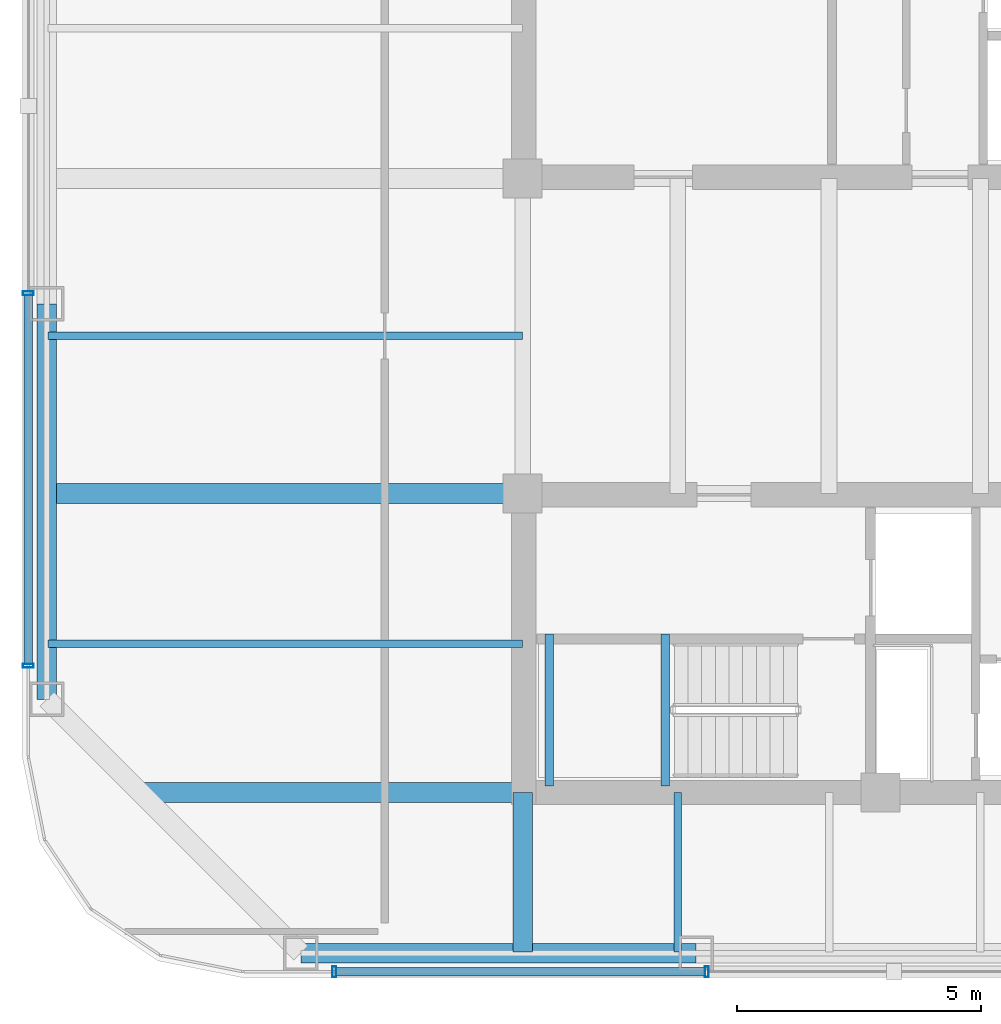
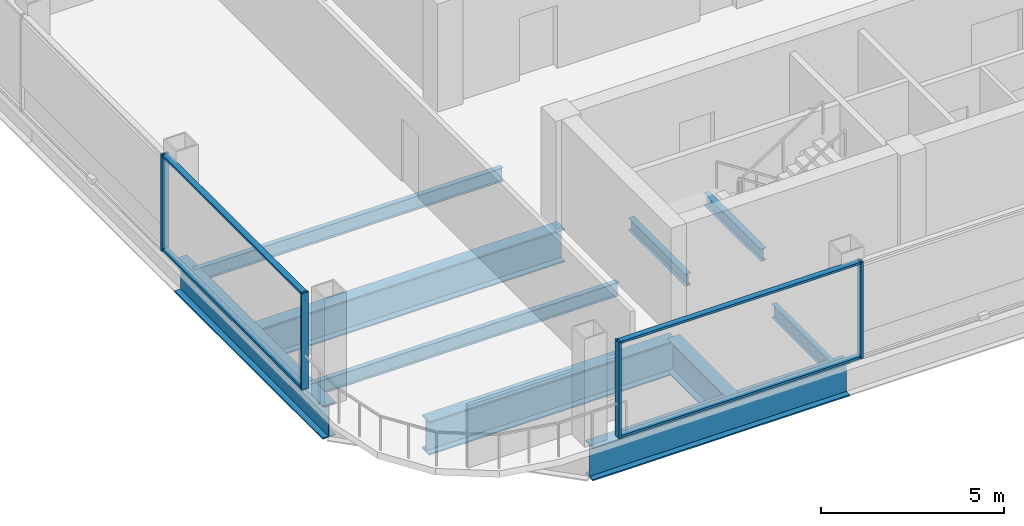
# One storey, part 2 of 19: 10 beams, 8 members, 2 elements without a shape of their own.
"""IFC4 building model written with IfcOpenShell, lengths in metres."""

from ifc_helpers import new_model, si_unit, direction, frame, origin, origin_2d, place, context, subcontext, project, spatial, hollow_rectangle, i_section, extrude, material, layer, layer_set, material_profile, profile_set, type_object, element, aggregate, save


model = new_model("IFC4")

# Units and contexts
model_context = context("Model", 3, precision=1e-05, world=origin(), true_north=direction((0.0, 1.0)))
body_context = subcontext(model_context, "Body", "Model", "MODEL_VIEW")
ifc_project = project(units=[si_unit("LENGTHUNIT", "METRE"), si_unit("AREAUNIT", "SQUARE_METRE"), si_unit("VOLUMEUNIT", "CUBIC_METRE"), si_unit("PLANEANGLEUNIT", "RADIAN"), si_unit("MASSUNIT", "GRAM", prefix="KILO")], contexts=[model_context])

# Site, building, storey
site_placement = place(None, origin())
site = spatial("IfcSite", under=ifc_project, at=site_placement, CompositionType="ELEMENT")
building_placement = place(site_placement, origin())
building = spatial("IfcBuilding", under=site, at=building_placement, Name="Qhalaya Broadcast Tower", CompositionType="ELEMENT")
storey_placement = place(building_placement, frame((0.0, 0.0, 148.199951171875)))
storey = spatial("IfcBuildingStorey", under=building, at=storey_placement, Name="L43", CompositionType="ELEMENT", Elevation=148.199951171875)

# Beams
ifc_material_1 = material(Name="Structural Steel ASTM A992 Grade 50", Category="steel")
ifc_material_profile_1 = material_profile(ifc_material_1, i_section(OverallWidth=0.154052734375, OverallDepth=0.458984375, WebThickness=0.009033203125, FlangeThickness=0.015380859375, at=origin_2d()), Name="W18X46")
ifc_profile_set_1 = profile_set([ifc_material_profile_1], Name="Structural Steel ASTM A992 Grade 50")
beam_type_1 = type_object("IfcBeamType", Name="Composite Floor Joist J04", PredefinedType="JOIST", material=ifc_profile_set_1)
beam_1_placement = place(storey_placement, frame((-6.199951171875, -12.02001953125, -0.449462890625), z_axis=(0.0, 1.0, 0.0), x_axis=(-1.0, 0.0, 0.0)))
element("IfcBeam", 1, at=beam_1_placement, inside=storey, type_object=beam_type_1, Name="L43 J04 L43-JNS1-1", PredefinedType="JOIST", context=body_context, shape_type="SweptSolid", body=[
    extrude(i_section(OverallWidth=0.154052734375, OverallDepth=0.458984375, WebThickness=0.009033203125, FlangeThickness=0.015380859375, at=origin_2d()), origin(), (0.0, 0.0, 1.0), 3.27001953125),
])
for number, where, z_axis, x_axis, name in (
    (2, (-19.10009765625, -5.699951171875, -0.449462890625), (1.0, 0.0, 0.0), (0.0, 1.0, 0.0), "L43 J04 L43-JWE3W-1"),
    (3, (-19.10009765625, 0.60009765625, -0.449462890625), (1.0, 0.0, 0.0), (0.0, 1.0, 0.0), "L43 J04 L43-JWE4W-1"),
):
    element("IfcBeam", number, at=place(storey_placement, frame(where, z_axis=z_axis, x_axis=x_axis)), inside=storey, type_object=beam_type_1, Name=name, PredefinedType="JOIST", context=body_context, shape_type="SweptSolid", body=[
        extrude(i_section(OverallWidth=0.154052734375, OverallDepth=0.458984375, WebThickness=0.009033203125, FlangeThickness=0.015380859375, at=origin_2d()), origin(), (0.0, 0.0, 1.0), 9.72509765625),
    ])
ifc_material_profile_2 = material_profile(ifc_material_1, i_section(OverallWidth=0.404052734375, OverallDepth=1.117919921875, WebThickness=0.026123046875, FlangeThickness=0.044921875, at=origin_2d()), Name="W44X335")
ifc_profile_set_2 = profile_set([ifc_material_profile_2], Name="Structural Steel ASTM A992 Grade 50")
beam_type_2 = type_object("IfcBeamType", Name="Podium Long-Span Primary Girder PG1", PredefinedType="USERDEFINED", material=ifc_profile_set_2)
beam_2_placement = place(storey_placement, frame((-13.919921875, -12.0400390625, -0.779052734375), z_axis=(1.0, 0.0, 0.0), x_axis=(0.0, 1.0, 0.0)))
element("IfcBeam", 4, at=beam_2_placement, inside=storey, type_object=beam_type_2, Name="L43 PG1 L43-SPR-01", ObjectType="GIRDER", PredefinedType="USERDEFINED", context=body_context, shape_type="SweptSolid", body=[
    extrude(i_section(OverallWidth=0.404052734375, OverallDepth=1.117919921875, WebThickness=0.026123046875, FlangeThickness=0.044921875, at=origin_2d()), origin(), (0.0, 0.0, 1.0), 8.099853515625),
])
beam_3_placement = place(storey_placement, frame((-19.1201171875, 1.260009765625, -0.779052734375), z_axis=(0.0, -1.0, 0.0), x_axis=(1.0, 0.0, 0.0)))
element("IfcBeam", 5, at=beam_3_placement, inside=storey, type_object=beam_type_2, Name="L43 PG1 L43-SPR-15", ObjectType="GIRDER", PredefinedType="USERDEFINED", context=body_context, shape_type="SweptSolid", body=[
    extrude(i_section(OverallWidth=0.404052734375, OverallDepth=1.117919921875, WebThickness=0.026123046875, FlangeThickness=0.044921875, at=origin_2d()), origin(), (0.0, 0.0, 1.0), 8.10009765625),
])
beam_4_placement = place(storey_placement, frame((-9.375, -12.02001953125, -0.779052734375), z_axis=(0.0, 1.0, 0.0), x_axis=(-1.0, 0.0, 0.0)))
element("IfcBeam", 6, at=beam_4_placement, inside=storey, type_object=beam_type_2, Name="L43 PG1 L43-PGXS1-1", ObjectType="GIRDER", PredefinedType="USERDEFINED", context=body_context, shape_type="SweptSolid", body=[
    extrude(i_section(OverallWidth=0.404052734375, OverallDepth=1.117919921875, WebThickness=0.026123046875, FlangeThickness=0.044921875, at=origin_2d()), origin(), (0.0, 0.0, 1.0), 3.27001953125),
])
beam_5_placement = place(storey_placement, frame((-17.181640625, -8.75, -0.779052734375), z_axis=(1.0, 0.0, 0.0), x_axis=(0.0, 1.0, 0.0)))
element("IfcBeam", 7, at=beam_5_placement, inside=storey, type_object=beam_type_2, Name="L43 PG1 L43-PGYW1-1", ObjectType="GIRDER", PredefinedType="USERDEFINED", context=body_context, shape_type="SweptSolid", body=[
    extrude(i_section(OverallWidth=0.404052734375, OverallDepth=1.117919921875, WebThickness=0.026123046875, FlangeThickness=0.044921875, at=origin_2d()), origin(), (0.0, 0.0, 1.0), 7.806640625),
])
beam_6_placement = place(storey_placement, frame((-19.10009765625, -2.625, -0.779052734375), z_axis=(1.0, 0.0, 0.0), x_axis=(0.0, 1.0, 0.0)))
element("IfcBeam", 8, at=beam_6_placement, inside=storey, type_object=beam_type_2, Name="L43 PG1 L43-PGYW2-1", ObjectType="GIRDER", PredefinedType="USERDEFINED", context=body_context, shape_type="SweptSolid", body=[
    extrude(i_section(OverallWidth=0.404052734375, OverallDepth=1.117919921875, WebThickness=0.026123046875, FlangeThickness=0.044921875, at=origin_2d()), origin(), (0.0, 0.0, 1.0), 9.72509765625),
])

# Curtain wall, members
ifc_material_2 = material(Name="Solar-Control Low-E Triple Glazing", Category="glass")
ifc_layer = layer(ifc_material_2, 0.219970703125, Name="Solar-Control Low-E Triple Glazing")
ifc_layer_set = layer_set([ifc_layer], Name="Solar-Control Low-E Triple Glazing")
curtain_wall_type = type_object("IfcCurtainWallType", Name="Recessed Sky-Garden Neck Ribbon Curtain Wall CW-05", PredefinedType="NOTDEFINED", material=ifc_layer_set)
curtain_wall_1_placement = place(storey_placement, origin())
curtain_wall_1 = element("IfcCurtainWall", 9, at=curtain_wall_1_placement, inside=storey, type_object=curtain_wall_type, Name="L43 Unitised Curtain Wall L43-CW-S", PredefinedType="NOTDEFINED")
ifc_material_3 = material(Name="Anodised Aluminium 6063-T6", Category="aluminium")
ifc_material_profile_3 = material_profile(ifc_material_3, hollow_rectangle(XDim=0.074951171875, YDim=0.219970703125, WallThickness=0.00390625, at=origin_2d()), Name="ALU-MUL 75x220x4")
ifc_profile_set_3 = profile_set([ifc_material_profile_3], Name="Anodised Aluminium 6063-T6")
member_type_1 = type_object("IfcMemberType", Name="Unitised Curtain-Wall Mullion M01", PredefinedType="MULLION", material=ifc_profile_set_3)
member_1_placement = place(storey_placement, frame((-13.232421875, -12.419921875, 0.0), z_axis=(0.0, 0.0, 1.0), x_axis=(1.0, 0.0, 0.0)))
member_1 = element("IfcMember", 10, at=member_1_placement, type_object=member_type_1, Name="CW-05 mullion 1", PredefinedType="MULLION", context=body_context, shape_type="SweptSolid", body=[
    extrude(hollow_rectangle(XDim=0.074951171875, YDim=0.219970703125, WallThickness=0.00390625, at=origin_2d()), origin(), (0.0, 0.0, 1.0), 3.219970703125),
])
member_2_placement = place(storey_placement, frame((-5.603271484375, -12.419921875, 0.0), z_axis=(0.0, 0.0, 1.0), x_axis=(1.0, 0.0, 0.0)))
member_2 = element("IfcMember", 11, at=member_2_placement, type_object=member_type_1, Name="CW-05 mullion 2", PredefinedType="MULLION", context=body_context, shape_type="SweptSolid", body=[
    extrude(hollow_rectangle(XDim=0.074951171875, YDim=0.219970703125, WallThickness=0.00390625, at=origin_2d()), origin(), (0.0, 0.0, 1.0), 3.219970703125),
])

curtain_wall_2_placement = place(storey_placement, origin())
curtain_wall_2 = element("IfcCurtainWall", 12, at=curtain_wall_2_placement, inside=storey, type_object=curtain_wall_type, Name="L43 Unitised Curtain Wall L43-CW-W", PredefinedType="NOTDEFINED")
member_3_placement = place(storey_placement, frame((-19.5, 1.4765625, 0.0), z_axis=(0.0, 0.0, 1.0), x_axis=(0.0, -1.0, 0.0)))
member_3 = element("IfcMember", 13, at=member_3_placement, type_object=member_type_1, Name="CW-05 mullion 3", PredefinedType="MULLION", context=body_context, shape_type="SweptSolid", body=[
    extrude(hollow_rectangle(XDim=0.074951171875, YDim=0.219970703125, WallThickness=0.00390625, at=origin_2d()), origin(), (0.0, 0.0, 1.0), 3.219970703125),
])
member_4_placement = place(storey_placement, frame((-19.5, -6.152587890625, 0.0), z_axis=(0.0, 0.0, 1.0), x_axis=(0.0, -1.0, 0.0)))
member_4 = element("IfcMember", 14, at=member_4_placement, type_object=member_type_1, Name="CW-05 mullion 4", PredefinedType="MULLION", context=body_context, shape_type="SweptSolid", body=[
    extrude(hollow_rectangle(XDim=0.074951171875, YDim=0.219970703125, WallThickness=0.00390625, at=origin_2d()), origin(), (0.0, 0.0, 1.0), 3.219970703125),
])

# Member
ifc_material_profile_4 = material_profile(ifc_material_3, hollow_rectangle(XDim=0.074951171875, YDim=0.179931640625, WallThickness=0.00390625, at=origin_2d()), Name="ALU-TRN 75x180x4")
ifc_profile_set_4 = profile_set([ifc_material_profile_4], Name="Anodised Aluminium 6063-T6")
member_type_2 = type_object("IfcMemberType", Name="Unitised Curtain-Wall Transom T01", PredefinedType="USERDEFINED", material=ifc_profile_set_4)
member_5_placement = place(storey_placement, frame((-13.195068359375, -12.419921875, 0.03759765625), z_axis=(1.0, 0.0, 0.0), x_axis=(0.0, 0.0, 1.0)))
member_5 = element("IfcMember", 15, at=member_5_placement, type_object=member_type_2, Name="CW-05 transom 1.1", ObjectType="TRANSOM", PredefinedType="USERDEFINED", context=body_context, shape_type="SweptSolid", body=[
    extrude(hollow_rectangle(XDim=0.074951171875, YDim=0.179931640625, WallThickness=0.00390625, at=origin_2d()), origin(), (0.0, 0.0, 1.0), 7.55419921875),
])

member_6_placement = place(storey_placement, frame((-13.195068359375, -12.419921875, 3.1826171875), z_axis=(1.0, 0.0, 0.0), x_axis=(0.0, 0.0, 1.0)))
member_6 = element("IfcMember", 16, at=member_6_placement, type_object=member_type_2, Name="CW-05 transom 1.2", ObjectType="TRANSOM", PredefinedType="USERDEFINED", context=body_context, shape_type="SweptSolid", body=[
    extrude(hollow_rectangle(XDim=0.074951171875, YDim=0.179931640625, WallThickness=0.00390625, at=origin_2d()), origin(), (0.0, 0.0, 1.0), 7.55419921875),
])

aggregate(curtain_wall_1, [member_1, member_2, member_5, member_6])

member_7_placement = place(storey_placement, frame((-19.5, 1.439208984375, 0.03759765625), z_axis=(0.0, -1.0, 0.0), x_axis=(0.0, 0.0, 1.0)))
member_7 = element("IfcMember", 17, at=member_7_placement, type_object=member_type_2, Name="CW-05 transom 3.1", ObjectType="TRANSOM", PredefinedType="USERDEFINED", context=body_context, shape_type="SweptSolid", body=[
    extrude(hollow_rectangle(XDim=0.074951171875, YDim=0.179931640625, WallThickness=0.00390625, at=origin_2d()), origin(), (0.0, 0.0, 1.0), 7.55419921875),
])

member_8_placement = place(storey_placement, frame((-19.5, 1.439208984375, 3.1826171875), z_axis=(0.0, -1.0, 0.0), x_axis=(0.0, 0.0, 1.0)))
member_8 = element("IfcMember", 18, at=member_8_placement, type_object=member_type_2, Name="CW-05 transom 3.2", ObjectType="TRANSOM", PredefinedType="USERDEFINED", context=body_context, shape_type="SweptSolid", body=[
    extrude(hollow_rectangle(XDim=0.074951171875, YDim=0.179931640625, WallThickness=0.00390625, at=origin_2d()), origin(), (0.0, 0.0, 1.0), 7.55419921875),
])

aggregate(curtain_wall_2, [member_3, member_4, member_7, member_8])

# Beams
ifc_material_profile_5 = material_profile(ifc_material_1, i_section(OverallWidth=0.177978515625, OverallDepth=0.406005859375, WebThickness=0.0078125, FlangeThickness=0.0126953125, at=origin_2d()), Name="W16X40")
ifc_profile_set_5 = profile_set([ifc_material_profile_5], Name="Structural Steel ASTM A992 Grade 50")
beam_type_3 = type_object("IfcBeamType", Name="Upper Perimeter Spandrel Beam SP2", PredefinedType="SPANDREL", material=ifc_profile_set_5)
for number, where, z_axis, x_axis, name in (
    (19, (-8.830078125, -8.6201171875, 1.39697265625), (0.0, 1.0, 0.0), (-1.0, 0.0, 0.0), "L43 ST-2 Half-Landing Bearer Beam 1"),
    (20, (-6.455078125, -8.6201171875, 1.39697265625), (0.0, 1.0, 0.0), (-1.0, 0.0, 0.0), "L43 ST-2 Half-Landing Bearer Beam 2"),
):
    element("IfcBeam", number, at=place(storey_placement, frame(where, z_axis=z_axis, x_axis=x_axis)), inside=storey, type_object=beam_type_3, Name=name, PredefinedType="SPANDREL", context=body_context, shape_type="SweptSolid", body=[
        extrude(i_section(OverallWidth=0.177978515625, OverallDepth=0.406005859375, WebThickness=0.0078125, FlangeThickness=0.0126953125, at=origin_2d()), origin(), (0.0, 0.0, 1.0), 3.1201171875),
    ])

save(model, "model.ifc")
